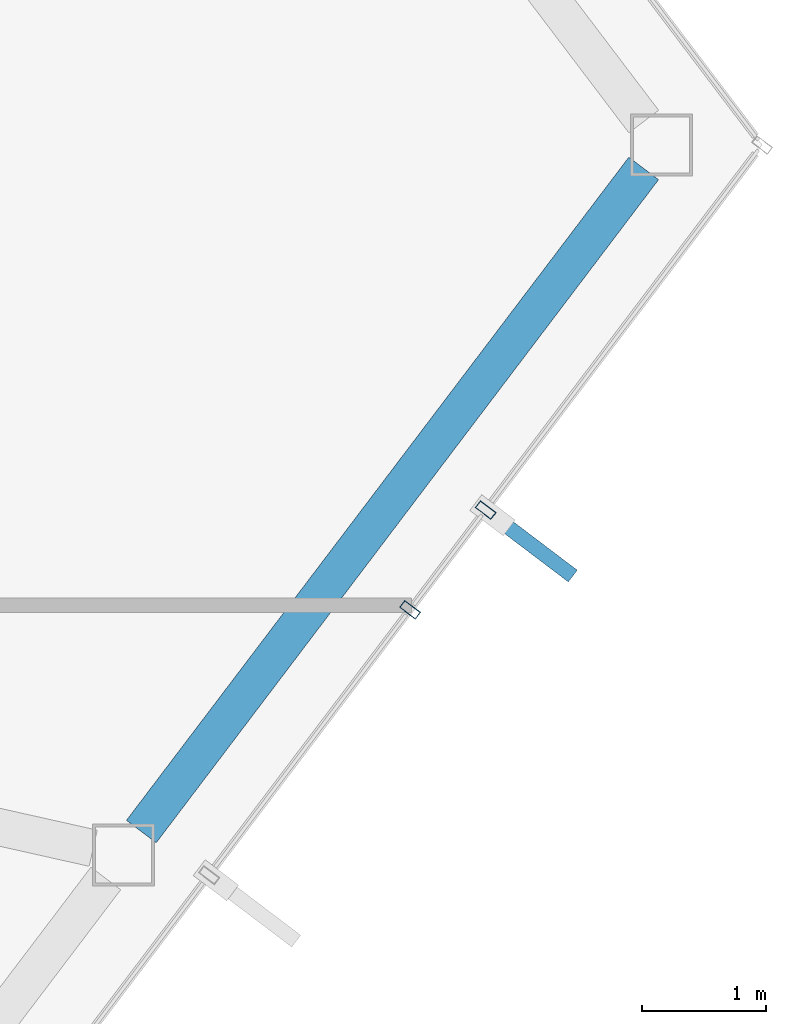
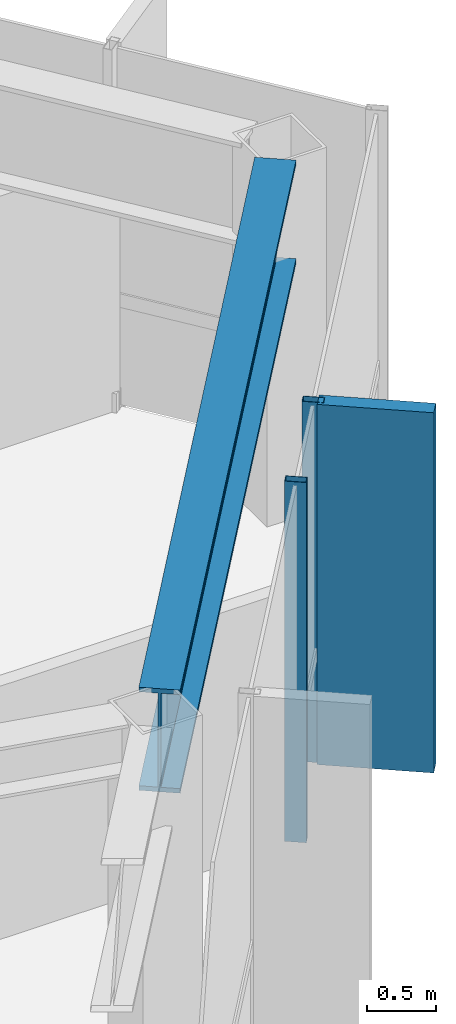
# One storey, part 18 of 26: 3 members, 1 beam, 1 element without a shape of its own.
"""IFC4 building model written with IfcOpenShell, lengths in metres."""

from ifc_helpers import new_model, si_unit, direction, frame, origin, origin_2d, place, context, subcontext, project, spatial, rectangle, hollow_rectangle, i_section, extrude, material, layer, layer_set, material_profile, profile_set, type_object, element, aggregate, save


model = new_model("IFC4")

# Units and contexts
model_context = context("Model", 3, precision=1e-05, world=origin(), true_north=direction((0.0, 1.0)))
body_context = subcontext(model_context, "Body", "Model", "MODEL_VIEW")
ifc_project = project(units=[si_unit("LENGTHUNIT", "METRE"), si_unit("AREAUNIT", "SQUARE_METRE"), si_unit("VOLUMEUNIT", "CUBIC_METRE"), si_unit("PLANEANGLEUNIT", "RADIAN"), si_unit("MASSUNIT", "GRAM", prefix="KILO")], contexts=[model_context])

# Site, building, storey
site_placement = place(None, origin())
site = spatial("IfcSite", under=ifc_project, at=site_placement, CompositionType="ELEMENT")
building_placement = place(site_placement, origin())
building = spatial("IfcBuilding", under=site, at=building_placement, Name="Zarrinselat Tower", CompositionType="ELEMENT")
storey_placement = place(building_placement, frame((0.0, 0.0, 258.39990234375)))
storey = spatial("IfcBuildingStorey", under=building, at=storey_placement, Name="L65", CompositionType="ELEMENT", Elevation=258.39990234375)

# Beam
ifc_material_1 = material(Name="Steel S460M", Category="steel")
ifc_material_profile_1 = material_profile(ifc_material_1, i_section(OverallWidth=0.302001953125, OverallDepth=0.909912109375, WebThickness=0.02099609375, FlangeThickness=0.0400390625, at=origin_2d()), Name="HEM 900")
ifc_profile_set_1 = profile_set([ifc_material_profile_1], Name="Steel S460M")
beam_type = type_object("IfcBeamType", Name="BM-HEM900", PredefinedType="BEAM", material=ifc_profile_set_1)
beam_placement = place(storey_placement, frame((56.2275390625, 37.055419921875, 2.72509765625), z_axis=(0.603861177265, 0.797089504756, 0.0), x_axis=(-0.797089504756, 0.603861177265, 0.0)))
element("IfcBeam", 1, at=beam_placement, inside=storey, type_object=beam_type, Name="L65 Perimeter Spandrel Girder SP14", PredefinedType="BEAM", context=body_context, shape_type="SweptSolid", body=[
    extrude(i_section(OverallWidth=0.302001953125, OverallDepth=0.909912109375, WebThickness=0.02099609375, FlangeThickness=0.0400390625, at=origin_2d()), origin(), (0.0, 0.0, 1.0), 6.735595703125),
])

# Curtain wall, members
ifc_material_2 = material(Name="Extruded Aluminium Alloy EN AW-6063 T6", Category="aluminium")
ifc_layer = layer(ifc_material_2, 0.169921875)
ifc_layer_set = layer_set([ifc_layer], Name="Extruded Aluminium Alloy EN AW-6063 T6")
curtain_wall_type = type_object("IfcCurtainWallType", Name="CWS-RES", PredefinedType="NOTDEFINED", material=ifc_layer_set)
curtain_wall_placement = place(storey_placement, origin())
curtain_wall = element("IfcCurtainWall", 2, at=curtain_wall_placement, inside=storey, type_object=curtain_wall_type, Name="L65 Unitised Curtain Wall CW-L65-E05", PredefinedType="NOTDEFINED")
ifc_material_3 = material(Name="Extruded Aluminium Alloy EN AW-6063 T6", Category="aluminium")
ifc_material_profile_2 = material_profile(ifc_material_3, hollow_rectangle(XDim=0.070068359375, YDim=0.159912109375, WallThickness=0.00390625, at=origin_2d()), Name="RHS 160x70x4")
ifc_profile_set_2 = profile_set([ifc_material_profile_2], Name="Extruded Aluminium Alloy EN AW-6063 T6")
member_type_1 = type_object("IfcMemberType", Name="MEM-CW-MUL2", PredefinedType="MULLION", material=ifc_profile_set_2)
member_1_placement = place(storey_placement, frame((58.4033203125, 38.850830078125, 0.0), z_axis=(0.0, 0.0, 1.0), x_axis=(0.603859570382, 0.7970907221, 0.0)))
member_1 = element("IfcMember", 3, at=member_1_placement, type_object=member_type_1, Name="CW-L65-E05 Mullion 8", PredefinedType="MULLION", context=body_context, shape_type="SweptSolid", body=[
    extrude(hollow_rectangle(XDim=0.070068359375, YDim=0.159912109375, WallThickness=0.00390625, at=origin_2d()), origin(), (0.0, 0.0, 1.0), 3.18017578125),
])
member_2_placement = place(storey_placement, frame((59.01513671875, 39.65869140625, 0.0), z_axis=(0.0, 0.0, 1.0), x_axis=(0.603859570382, 0.7970907221, 0.0)))
member_2 = element("IfcMember", 4, at=member_2_placement, type_object=member_type_1, Name="CW-L65-E05 Mullion 9", PredefinedType="MULLION", context=body_context, shape_type="SweptSolid", body=[
    extrude(hollow_rectangle(XDim=0.070068359375, YDim=0.159912109375, WallThickness=0.00390625, at=origin_2d()), origin(), (0.0, 0.0, 1.0), 3.18017578125),
])
ifc_material_4 = material(Name="Honed Cream Travertine Stone", Category="masonry")
ifc_material_profile_3 = material_profile(ifc_material_4, rectangle(XDim=0.1201171875, YDim=0.85009765625, at=origin_2d()), Name="FIN 850x120")
ifc_profile_set_3 = profile_set([ifc_material_profile_3], Name="Honed Cream Travertine Stone")
member_type_2 = type_object("IfcMemberType", Name="MEM-STONE-FIN", PredefinedType="USERDEFINED", material=ifc_profile_set_3)
member_3_placement = place(storey_placement, frame((59.3818359375, 39.380859375, 0.0), z_axis=(0.0, 0.0, 1.0), x_axis=(-0.603859570382, -0.7970907221, 0.0)))
member_3 = element("IfcMember", 5, at=member_3_placement, type_object=member_type_2, Name="L65 Stone Shading Fin CW-L65-E05-09", ObjectType="FIN", PredefinedType="USERDEFINED", context=body_context, shape_type="SweptSolid", body=[
    extrude(rectangle(XDim=0.1201171875, YDim=0.85009765625, at=origin_2d()), origin(), (0.0, 0.0, 1.0), 3.18017578125),
])
aggregate(curtain_wall, [member_1, member_2, member_3])

save(model, "model.ifc")
